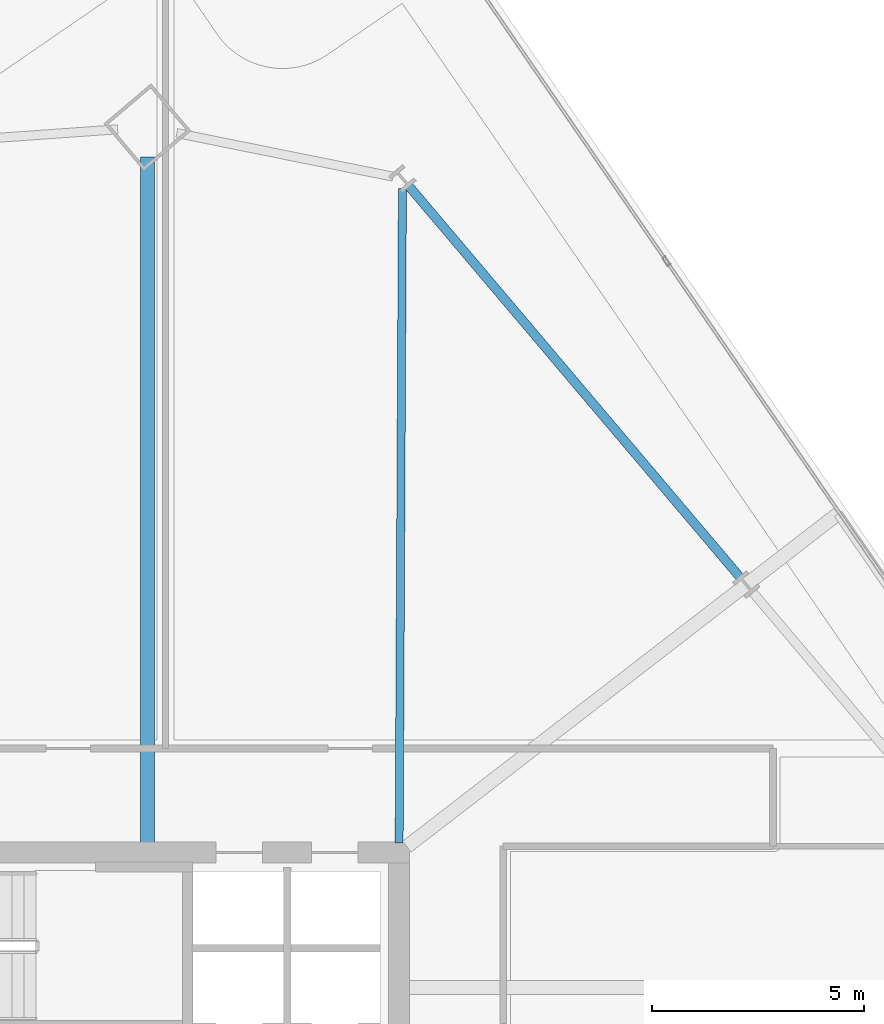
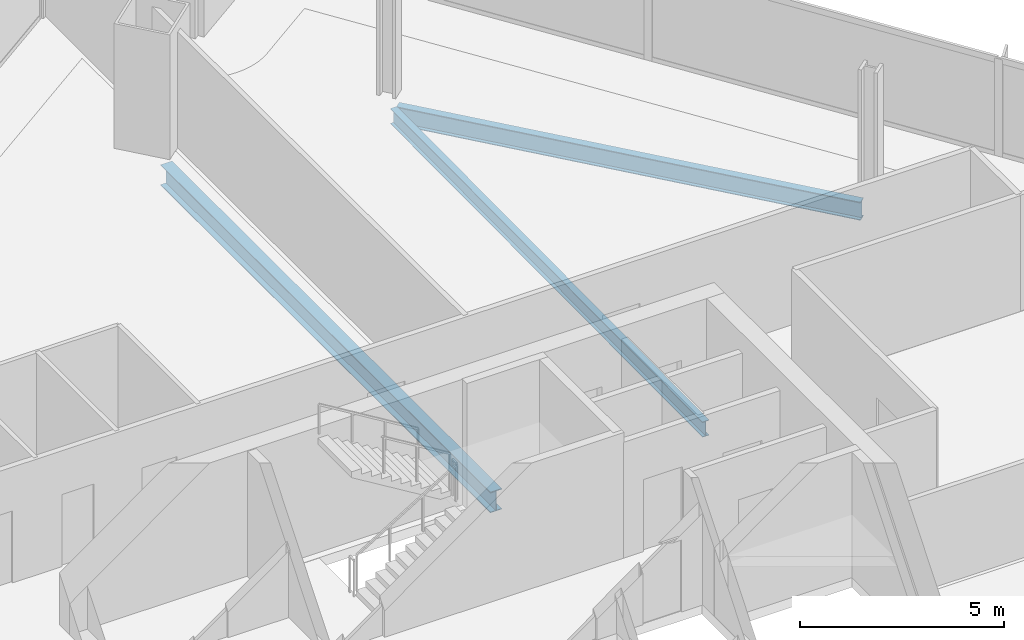
# One storey, part 18 of 29: 3 beams.
"""IFC4 building model written with IfcOpenShell, lengths in metres."""

from ifc_helpers import new_model, si_unit, direction, frame, origin, origin_2d, place, context, subcontext, project, spatial, i_section, extrude, material, material_profile, profile_set, type_object, element, save


model = new_model("IFC4")

# Units and contexts
model_context = context("Model", 3, precision=1e-05, world=origin(), true_north=direction((0.0, 1.0)))
body_context = subcontext(model_context, "Body", "Model", "MODEL_VIEW")
ifc_project = project(units=[si_unit("LENGTHUNIT", "METRE"), si_unit("AREAUNIT", "SQUARE_METRE"), si_unit("VOLUMEUNIT", "CUBIC_METRE"), si_unit("PLANEANGLEUNIT", "RADIAN"), si_unit("MASSUNIT", "GRAM", prefix="KILO")], contexts=[model_context])

# Site, building, storey
site_placement = place(None, origin())
site = spatial("IfcSite", under=ifc_project, at=site_placement, CompositionType="ELEMENT")
building_placement = place(site_placement, origin())
building = spatial("IfcBuilding", under=site, at=building_placement, Name="Haldenkirk Collegiate Tower", CompositionType="ELEMENT")
storey_placement = place(building_placement, frame((0.0, 0.0, 144.449951171875)))
storey = spatial("IfcBuildingStorey", under=building, at=storey_placement, Name="L35", CompositionType="ELEMENT", Elevation=144.449951171875)

# Beams
ifc_material = material(Name="Steel ASTM A992 Grade 50", Category="steel")
ifc_material_profile_1 = material_profile(ifc_material, i_section(OverallWidth=0.324951171875, OverallDepth=0.615966796875, WebThickness=0.013916015625, FlangeThickness=0.021484375, at=origin_2d()), Name="W24X117")
ifc_profile_set_1 = profile_set([ifc_material_profile_1], Name="Steel ASTM A992 Grade 50")
beam_type_1 = type_object("IfcBeamType", Name="BM-GIRDER-W24X117", PredefinedType="BEAM", material=ifc_profile_set_1)
beam_1_placement = place(storey_placement, frame((39.076904296875, 50.3701171875, -0.597900390625), z_axis=(0.0, -1.0, 0.0), x_axis=(1.0, 0.0, 0.0)))
element("IfcBeam", 1, at=beam_1_placement, inside=storey, type_object=beam_type_1, Name="L35 primary floor girder 03", PredefinedType="BEAM", context=body_context, shape_type="SweptSolid", body=[
    extrude(i_section(OverallWidth=0.324951171875, OverallDepth=0.615966796875, WebThickness=0.013916015625, FlangeThickness=0.021484375, at=origin_2d()), origin(), (0.0, 0.0, 1.0), 16.14013671875),
])
ifc_material_profile_2 = material_profile(ifc_material, i_section(OverallWidth=0.18994140625, OverallDepth=0.45703125, WebThickness=0.009033203125, FlangeThickness=0.014404296875, at=origin_2d()), Name="W18X50")
ifc_profile_set_2 = profile_set([ifc_material_profile_2], Name="Steel ASTM A992 Grade 50")
beam_type_2 = type_object("IfcBeamType", Name="BM-JOIST-W18X50", PredefinedType="JOIST", material=ifc_profile_set_2)
beam_2_placement = place(storey_placement, frame((45.07861328125, 49.63623046875, -0.5185546875), z_axis=(-0.005023389964, -0.999987382697, 0.0), x_axis=(0.999987382697, -0.005023389964, 0.0)))
element("IfcBeam", 2, at=beam_2_placement, inside=storey, type_object=beam_type_2, Name="L35 composite floor joist 10", PredefinedType="JOIST", context=body_context, shape_type="SweptSolid", body=[
    extrude(i_section(OverallWidth=0.18994140625, OverallDepth=0.45703125, WebThickness=0.009033203125, FlangeThickness=0.014404296875, at=origin_2d()), origin(), (0.0, 0.0, 1.0), 15.406494140625),
])
ifc_material_profile_3 = material_profile(ifc_material, i_section(OverallWidth=0.2119140625, OverallDepth=0.5439453125, WebThickness=0.01318359375, FlangeThickness=0.021240234375, at=origin_2d()), Name="W21X83")
ifc_profile_set_3 = profile_set([ifc_material_profile_3], Name="Steel ASTM A992 Grade 50")
beam_type_3 = type_object("IfcBeamType", Name="BM-SPANDREL-W21X83", PredefinedType="SPANDREL", material=ifc_profile_set_3)
beam_3_placement = place(storey_placement, frame((53.023193359375, 40.482177734375, -0.56201171875), z_axis=(-0.646126367676, 0.763230448157, 0.0), x_axis=(-0.763230448157, -0.646126367676, 0.0)))
element("IfcBeam", 3, at=beam_3_placement, inside=storey, type_object=beam_type_3, Name="L35 perimeter spandrel beam 07", PredefinedType="SPANDREL", context=body_context, shape_type="SweptSolid", body=[
    extrude(i_section(OverallWidth=0.2119140625, OverallDepth=0.5439453125, WebThickness=0.01318359375, FlangeThickness=0.021240234375, at=origin_2d()), origin(), (0.0, 0.0, 1.0), 12.06494140625),
])

save(model, "model.ifc")
